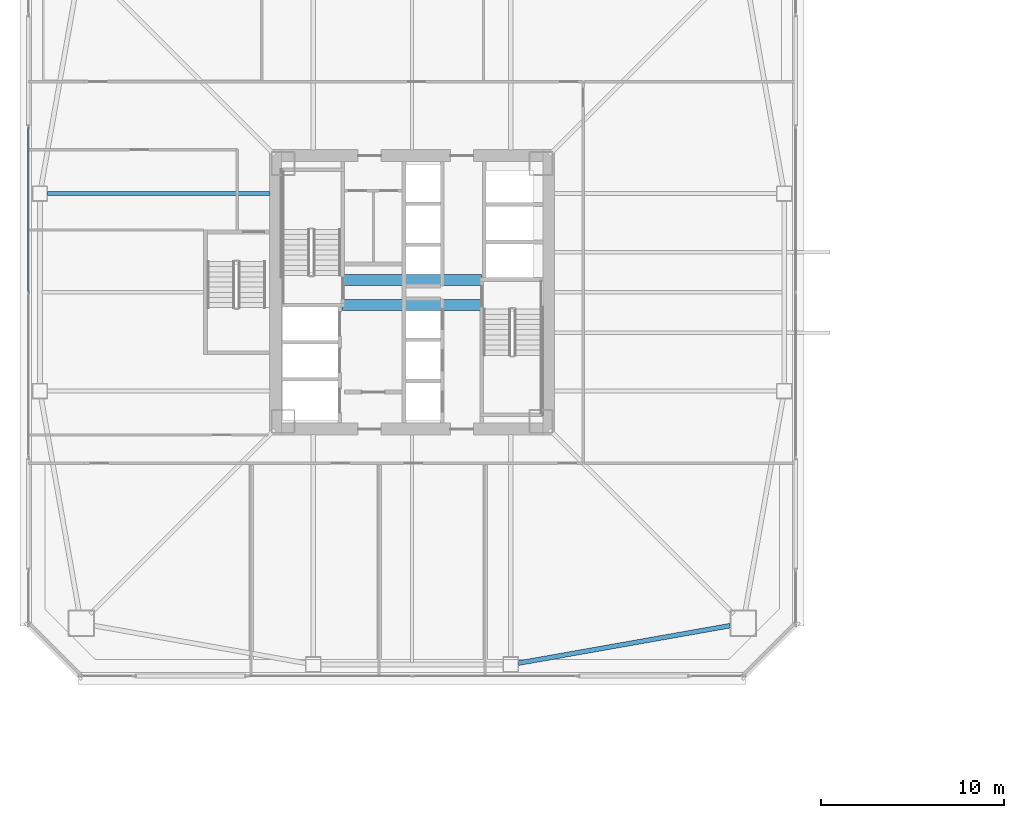
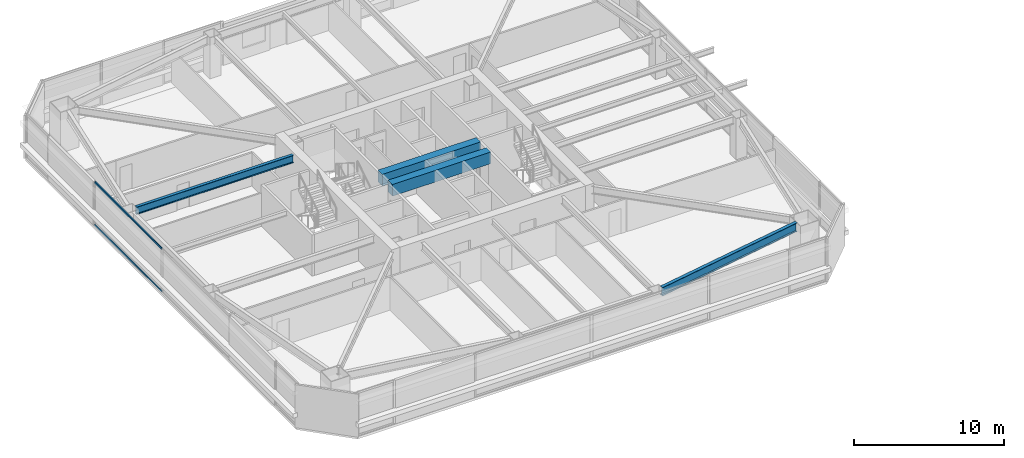
# One storey, part 7 of 47: 4 beams, 2 members, 1 element without a shape of its own.
"""IFC4 building model written with IfcOpenShell, lengths in metres."""

import ifcopenshell
import ifcopenshell.guid

model = None  # the IFC model being written
_history = None  # IfcOwnerHistory: only IFC2X3 demands one
_inside = {}  # id of a spatial element -> (the spatial element, [elements in it])
_under = {}  # id of a project, library or spatial element -> (it, [spatial elements below it])
_declared = {}  # id of a project -> (the project, [libraries it declares])
_typed = {}  # id of a type object -> (the type object, [elements of that type])
_made_of = {}  # id of a material, layer set ... -> (it, [elements and type objects made of it])


def new_model(schema):
    """Start an empty IFC model of exactly this schema.

    Asked for "IFC4X3", IfcOpenShell would pick the latest addendum, in which some entities
    have other attributes; the version numbers below select the first issue.
    IFC2X3 requires an IfcOwnerHistory on every rooted entity: one is made here for all.
    """
    global model, _history
    if schema == "IFC4X3":
        model = ifcopenshell.file(schema_version=(4, 3, 0, 0))
    else:
        model = ifcopenshell.file(schema=schema)
    _inside.clear()
    _under.clear()
    _declared.clear()
    _typed.clear()
    _made_of.clear()
    _history = None
    if model.schema == "IFC2X3":
        org = make("IfcOrganization", Name="unknown")
        user = make(
            "IfcPersonAndOrganization",
            ThePerson=make("IfcPerson", FamilyName="unknown"),
            TheOrganization=org,
        )
        app = make(
            "IfcApplication",
            ApplicationDeveloper=org,
            Version="unknown",
            ApplicationFullName="unknown",
            ApplicationIdentifier="unknown",
        )
        _history = make(
            "IfcOwnerHistory",
            OwningUser=user,
            OwningApplication=app,
            ChangeAction="ADDED",
            CreationDate=0,
        )
    return model


def make(cls, **values):
    """One entity of the class cls with the attributes given. An attribute that is None is left unset."""
    return model.create_entity(
        cls, **{name: value for name, value in values.items() if value is not None}
    )


def rooted(cls, **values):
    """An entity with a GlobalId (a new one), such as an element, a storey or a relation."""
    return make(cls, GlobalId=ifcopenshell.guid.new(), OwnerHistory=_history, **values)


def si_unit(unit_type, name, prefix=None):
    """IfcSIUnit, for example si_unit("LENGTHUNIT", "METRE", prefix="MILLI")."""
    return make("IfcSIUnit", UnitType=unit_type, Prefix=prefix, Name=name)


def assignment(units):
    """IfcUnitAssignment: the units of a project."""
    return None if units is None else make("IfcUnitAssignment", Units=units)


def point(xyz):
    """IfcCartesianPoint."""
    return None if xyz is None else make("IfcCartesianPoint", Coordinates=xyz)


def direction(xyz):
    """IfcDirection."""
    return None if xyz is None else make("IfcDirection", DirectionRatios=xyz)


def frame(location, z_axis=None, x_axis=None):
    """IfcAxis2Placement3D, a coordinate frame: its origin and axes. An axis left out is left unset."""
    return make(
        "IfcAxis2Placement3D",
        Location=point(location),
        Axis=direction(z_axis),
        RefDirection=direction(x_axis),
    )


def frame_2d(location, x_axis=None):
    """IfcAxis2Placement2D, a coordinate frame in the plane: its origin and x axis."""
    return make(
        "IfcAxis2Placement2D", Location=point(location), RefDirection=direction(x_axis)
    )


def origin():
    """The frame at (0, 0, 0) with its axes left unset."""
    return frame((0.0, 0.0, 0.0))


def origin_2d():
    """The frame at (0, 0) in the plane with its x axis left unset."""
    return frame_2d((0.0, 0.0))


def place(relative_to, where):
    """IfcLocalPlacement: puts the frame where relative to a parent placement (None: the world)."""
    return make(
        "IfcLocalPlacement", PlacementRelTo=relative_to, RelativePlacement=where
    )


def context(
    kind, dimensions, precision=None, world=None, true_north=None, identifier=None
):
    """IfcGeometricRepresentationContext, for example the 3D "Model" context."""
    return make(
        "IfcGeometricRepresentationContext",
        ContextIdentifier=identifier,
        ContextType=kind,
        CoordinateSpaceDimension=dimensions,
        Precision=precision,
        WorldCoordinateSystem=world,
        TrueNorth=true_north,
    )


def subcontext(parent, identifier, kind, view, scale=None):
    """IfcGeometricRepresentationSubContext, for example "Body" below "Model"."""
    return make(
        "IfcGeometricRepresentationSubContext",
        ContextIdentifier=identifier,
        ContextType=kind,
        ParentContext=parent,
        TargetScale=scale,
        TargetView=view,
    )


def project(units=None, contexts=None):
    """IfcProject with its units and contexts."""
    return rooted(
        "IfcProject",
        Name="project",
        RepresentationContexts=contexts,
        UnitsInContext=assignment(units),
    )


def spatial(cls, under=None, at=None, **own):
    """A site, building, storey or space (cls), placed at a placement, below another one or the project."""
    s = rooted(cls, ObjectPlacement=at, **own)
    if under is not None:
        _under.setdefault(under.id(), (under, []))[1].append(s)
    return s


def profile(cls, at=None, kind="AREA", **sizes):
    """A parametric profile (cls). Its sizes go by their IFC names, for example OverallWidth=200.0."""
    return make(cls, ProfileType=kind, Position=at, **sizes)


def rectangle(**sizes):
    """IfcRectangleProfileDef."""
    return profile("IfcRectangleProfileDef", **sizes)


def hollow_rectangle(**sizes):
    """IfcRectangleHollowProfileDef."""
    return profile("IfcRectangleHollowProfileDef", **sizes)


def i_section(**sizes):
    """IfcIShapeProfileDef."""
    return profile("IfcIShapeProfileDef", **sizes)


def extrude(swept, where, along, depth):
    """IfcExtrudedAreaSolid: the profile swept, set in the frame where, extruded along a direction by depth."""
    return make(
        "IfcExtrudedAreaSolid",
        SweptArea=swept,
        Position=where,
        ExtrudedDirection=direction(along),
        Depth=depth,
    )


def shape(context_of_items, identifier, shape_type, items):
    """IfcShapeRepresentation: the items that make up one representation, for example the "Body"."""
    return make(
        "IfcShapeRepresentation",
        ContextOfItems=context_of_items,
        RepresentationIdentifier=identifier,
        RepresentationType=shape_type,
        Items=items,
    )


def material(Name=None, Category=None):
    """IfcMaterial."""
    return make("IfcMaterial", Name=Name, Category=Category)


def material_profile(
    of_material, cross_section, Name=None, Category=None, Priority=None
):
    """IfcMaterialProfile: a cross section and its material."""
    return make(
        "IfcMaterialProfile",
        Name=Name,
        Material=of_material,
        Profile=cross_section,
        Priority=Priority,
        Category=Category,
    )


def profile_set(profiles, Name=None, composite=None):
    """IfcMaterialProfileSet."""
    return make(
        "IfcMaterialProfileSet",
        Name=Name,
        MaterialProfiles=profiles,
        CompositeProfile=composite,
    )


def made_of(thing, what):
    """Note that an element or type object is made of a material, layer set ...; save() writes the relation."""
    if what is not None:
        _made_of.setdefault(what.id(), (what, []))[1].append(thing)
    return thing


def type_object(cls, material=None, **own):
    """A type object (cls), such as IfcWallType, which elements share."""
    return made_of(rooted(cls, **own), material)


def element(
    cls,
    number,
    at=None,
    inside=None,
    cuts=None,
    type_object=None,
    material=None,
    context=None,
    identifier="Body",
    shape_type=None,
    held_by="IfcProductDefinitionShape",
    body=None,
    shapes=None,
    **own,
):
    """One element of the class cls, such as IfcWall. Its Tag is "e" and its number.

    at: its placement. inside: the storey or other place that contains it. cuts: it is an
    opening in that element (IfcRelVoidsElement). A single representation is given by context,
    identifier, shape_type and body (its items); several are given by shapes. held_by: the class
    of the entity that holds the representations. save() writes the other relations.
    """
    e = rooted(cls, Tag="e%d" % number, ObjectPlacement=at, **own)
    if body is not None:
        shapes = [shape(context, identifier, shape_type, body)]
    if shapes is not None:
        e.Representation = make(held_by, Representations=shapes)
    if inside is not None:
        _inside.setdefault(inside.id(), (inside, []))[1].append(e)
    if cuts is not None:
        rooted(
            "IfcRelVoidsElement", RelatingBuildingElement=cuts, RelatedOpeningElement=e
        )
    if type_object is not None:
        _typed.setdefault(type_object.id(), (type_object, []))[1].append(e)
    return made_of(e, material)


def aggregate(whole, parts):
    """IfcRelAggregates: a whole, such as a stair, and the parts it consists of."""
    return rooted("IfcRelAggregates", RelatingObject=whole, RelatedObjects=parts)


def save(model, path):
    """Write the relations noted so far, then the file.

    IfcRelAggregates (storeys below a building ...), IfcRelContainedInSpatialStructure (elements
    in a storey), IfcRelDefinesByType, IfcRelAssociatesMaterial and IfcRelDeclares: one each for
    every whole, place, type object, material and project.
    """
    for whole, parts in _under.values():
        aggregate(whole, parts)
    for where, things in _inside.values():
        rooted(
            "IfcRelContainedInSpatialStructure",
            RelatedElements=things,
            RelatingStructure=where,
        )
    for kind, things in _typed.values():
        rooted("IfcRelDefinesByType", RelatedObjects=things, RelatingType=kind)
    for what, things in _made_of.values():
        rooted("IfcRelAssociatesMaterial", RelatedObjects=things, RelatingMaterial=what)
    for by, libraries in _declared.values():
        rooted("IfcRelDeclares", RelatingContext=by, RelatedDefinitions=libraries)
    model.write(path)


model = new_model("IFC4")

# Units and contexts
model_context = context("Model", 3, precision=1e-05, world=origin(), true_north=direction((0.0, 1.0)))
body_context = subcontext(model_context, "Body", "Model", "MODEL_VIEW")
ifc_project = project(units=[si_unit("LENGTHUNIT", "METRE"), si_unit("AREAUNIT", "SQUARE_METRE"), si_unit("VOLUMEUNIT", "CUBIC_METRE"), si_unit("PLANEANGLEUNIT", "RADIAN"), si_unit("MASSUNIT", "GRAM", prefix="KILO")], contexts=[model_context])

# Site, building, storey
site_placement = place(None, origin())
site = spatial("IfcSite", under=ifc_project, at=site_placement, CompositionType="ELEMENT")
building_placement = place(site_placement, origin())
building = spatial("IfcBuilding", under=site, at=building_placement, Name="Tashvorn Skyway Center", CompositionType="ELEMENT")
storey_placement = place(building_placement, frame((0.0, 0.0, 81.39990234375)))
storey = spatial("IfcBuildingStorey", under=building, at=storey_placement, Name="L21", CompositionType="ELEMENT", Elevation=81.39990234375)

# Beams
ifc_material_1 = material(Name="Steel ASTM A992 Grade 50", Category="steel")
ifc_material_profile_1 = material_profile(ifc_material_1, i_section(OverallWidth=0.22998046875, OverallDepth=0.616943359375, WebThickness=0.01318359375, FlangeThickness=0.022216796875, at=origin_2d()), Name="W24X94")
ifc_profile_set_1 = profile_set([ifc_material_profile_1], Name="Steel ASTM A992 Grade 50")
beam_type_1 = type_object("IfcBeamType", Name="BM-BEAM-W24X94", PredefinedType="BEAM", material=ifc_profile_set_1)
beam_1_placement = place(storey_placement, frame((22.070068359375, 37.39990234375, 3.04150390625), z_axis=(1.0, 0.0, 0.0), x_axis=(0.0, 1.0, 0.0)))
element("IfcBeam", 1, at=beam_1_placement, inside=storey, type_object=beam_type_1, Name="Tower 1 L21 Primary Floor Girder FC-W1", PredefinedType="BEAM", context=body_context, shape_type="SweptSolid", body=[
    extrude(i_section(OverallWidth=0.22998046875, OverallDepth=0.616943359375, WebThickness=0.01318359375, FlangeThickness=0.022216796875, at=origin_2d()), origin(), (0.0, 0.0, 1.0), 12.14990234375),
])
ifc_material_2 = material(Name="Concrete C60/75", Category="concrete")
ifc_material_profile_2 = material_profile(ifc_material_2, rectangle(XDim=0.60009765625, YDim=0.949951171875, at=origin_2d()), Name="RCB600x950")
ifc_profile_set_2 = profile_set([ifc_material_profile_2], Name="Concrete C60/75")
beam_type_2 = type_object("IfcBeamType", Name="BM-LINTEL-RCB600x950", PredefinedType="LINTEL", material=ifc_profile_set_2)
for number, where, z_axis, x_axis, name in (
    (2, (38.199951171875, 32.679931640625, 2.875), (1.0, 0.0, 0.0), (0.0, 1.0, 0.0), "Tower 1 L21 Core Coupling Beam CN"),
    (3, (38.199951171875, 31.320068359375, 2.875), (1.0, 0.0, 0.0), (0.0, 1.0, 0.0), "Tower 1 L21 Core Coupling Beam CS"),
):
    element("IfcBeam", number, at=place(storey_placement, frame(where, z_axis=z_axis, x_axis=x_axis)), inside=storey, type_object=beam_type_2, Name=name, PredefinedType="LINTEL", context=body_context, shape_type="SweptSolid", body=[
        extrude(rectangle(XDim=0.60009765625, YDim=0.949951171875, at=origin_2d()), origin(), (0.0, 0.0, 1.0), 7.60009765625),
    ])
ifc_material_profile_3 = material_profile(ifc_material_1, i_section(OverallWidth=0.256103515625, OverallDepth=0.693115234375, WebThickness=0.014404296875, FlangeThickness=0.023681640625, at=origin_2d()), Name="W27X114")
ifc_profile_set_3 = profile_set([ifc_material_profile_3], Name="Steel ASTM A992 Grade 50")
beam_type_3 = type_object("IfcBeamType", Name="BM-SPANDREL-W27X114", PredefinedType="SPANDREL", material=ifc_profile_set_3)
beam_2_placement = place(storey_placement, frame((47.8134765625, 11.723388671875, 3.003662109375), z_axis=(0.98466816531, 0.174437966698, 0.0), x_axis=(-0.174437966698, 0.98466816531, 0.0)))
element("IfcBeam", 4, at=beam_2_placement, inside=storey, type_object=beam_type_3, Name="Tower 1 L21 Spandrel Beam 03", PredefinedType="SPANDREL", context=body_context, shape_type="SweptSolid", body=[
    extrude(i_section(OverallWidth=0.256103515625, OverallDepth=0.693115234375, WebThickness=0.014404296875, FlangeThickness=0.023681640625, at=origin_2d()), origin(), (0.0, 0.0, 1.0), 11.7578125),
])

# Curtain wall, members
ifc_material_3 = material(Name="Thermally broken bronze-anodized aluminium 6063-T6", Category="aluminium")
curtain_wall_type = type_object("IfcCurtainWallType", Name="CW-CW-Z2", PredefinedType="NOTDEFINED", material=ifc_material_3)
curtain_wall_placement = place(storey_placement, origin())
curtain_wall = element("IfcCurtainWall", 5, at=curtain_wall_placement, inside=storey, type_object=curtain_wall_type, Name="Tower 1 L21 West Unitised Curtain Wall Glazing Group 2", PredefinedType="NOTDEFINED")
ifc_material_profile_4 = material_profile(ifc_material_3, hollow_rectangle(XDim=0.080078125, YDim=0.14990234375, WallThickness=0.00439453125, at=origin_2d()), Name="ALU-TRAN-80x150")
ifc_profile_set_4 = profile_set([ifc_material_profile_4], Name="Thermally broken bronze-anodized aluminium 6063-T6")
member_type = type_object("IfcMemberType", Name="CWT-CW-Z2", PredefinedType="USERDEFINED", material=ifc_profile_set_4)
member_1_placement = place(storey_placement, frame((21.02001953125, 32.0400390625, 0.0400390625), z_axis=(0.0, 1.0, 0.0), x_axis=(-1.0, 0.0, 0.0)))
member_1 = element("IfcMember", 6, at=member_1_placement, type_object=member_type, Name="CW-Z2 transom 2.1", ObjectType="TRANSOM", PredefinedType="USERDEFINED", context=body_context, shape_type="SweptSolid", body=[
    extrude(hollow_rectangle(XDim=0.080078125, YDim=0.14990234375, WallThickness=0.00439453125, at=origin_2d()), origin(), (0.0, 0.0, 1.0), 8.969970703125),
])
member_2_placement = place(storey_placement, frame((21.02001953125, 32.0400390625, 3.510009765625), z_axis=(0.0, 1.0, 0.0), x_axis=(-1.0, 0.0, 0.0)))
member_2 = element("IfcMember", 7, at=member_2_placement, type_object=member_type, Name="CW-Z2 transom 2.2", ObjectType="TRANSOM", PredefinedType="USERDEFINED", context=body_context, shape_type="SweptSolid", body=[
    extrude(hollow_rectangle(XDim=0.080078125, YDim=0.14990234375, WallThickness=0.00439453125, at=origin_2d()), origin(), (0.0, 0.0, 1.0), 8.969970703125),
])
aggregate(curtain_wall, [member_1, member_2])

save(model, "model.ifc")
